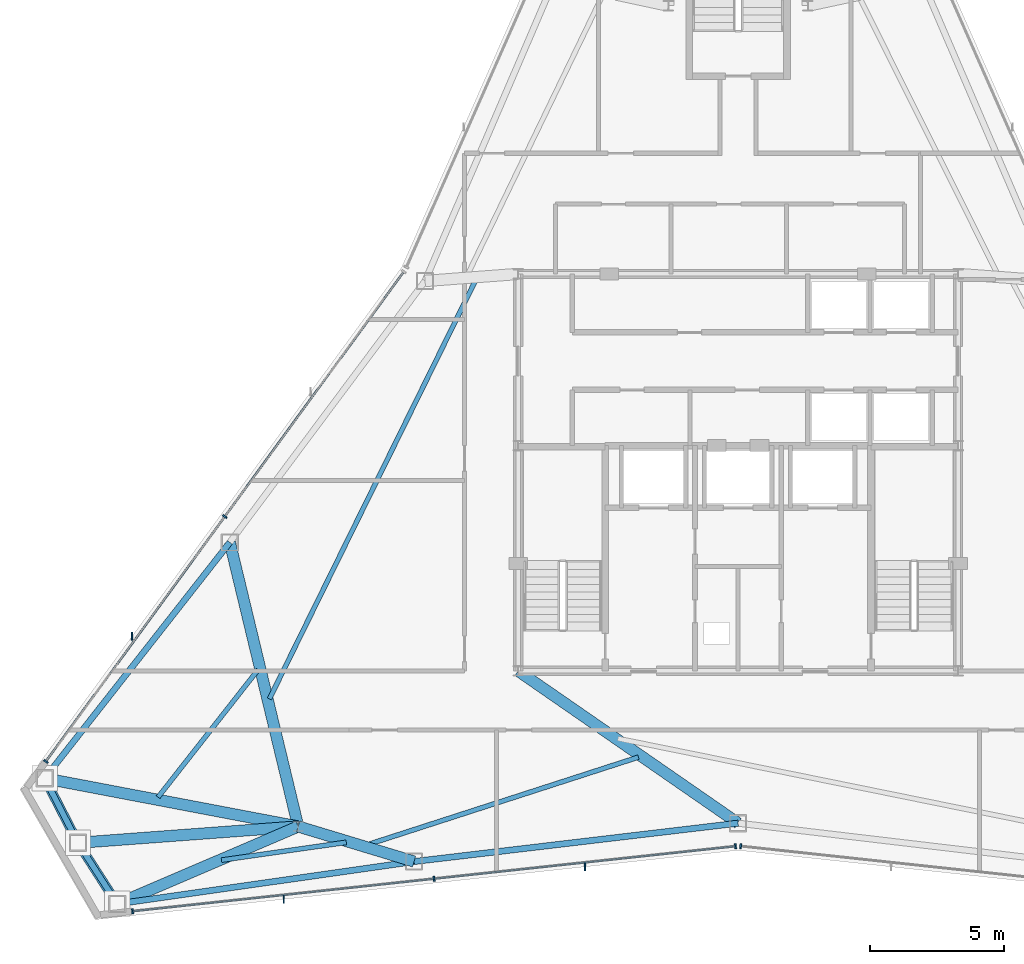
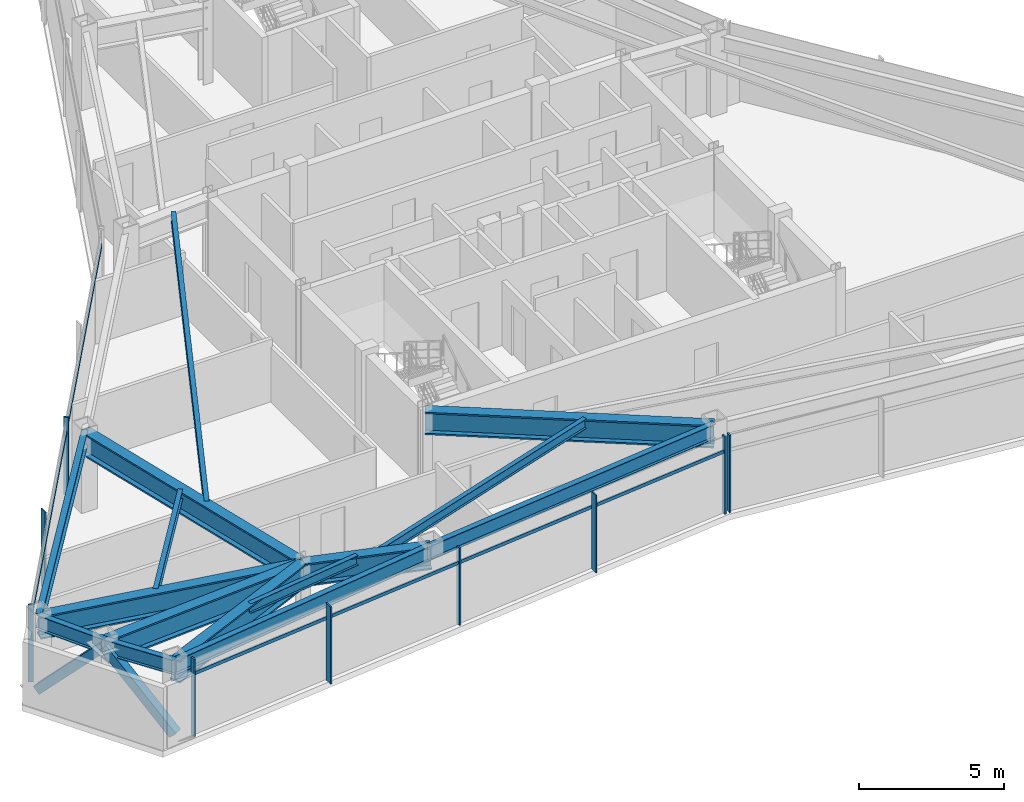
# One storey, part 3 of 12: 15 beams, 13 members, 3 elements without a shape of their own.
"""IFC4 building model written with IfcOpenShell, lengths in metres."""

import ifcopenshell
import ifcopenshell.guid

model = None  # the IFC model being written
_history = None  # IfcOwnerHistory: only IFC2X3 demands one
_inside = {}  # id of a spatial element -> (the spatial element, [elements in it])
_under = {}  # id of a project, library or spatial element -> (it, [spatial elements below it])
_declared = {}  # id of a project -> (the project, [libraries it declares])
_typed = {}  # id of a type object -> (the type object, [elements of that type])
_made_of = {}  # id of a material, layer set ... -> (it, [elements and type objects made of it])


def new_model(schema):
    """Start an empty IFC model of exactly this schema.

    Asked for "IFC4X3", IfcOpenShell would pick the latest addendum, in which some entities
    have other attributes; the version numbers below select the first issue.
    IFC2X3 requires an IfcOwnerHistory on every rooted entity: one is made here for all.
    """
    global model, _history
    if schema == "IFC4X3":
        model = ifcopenshell.file(schema_version=(4, 3, 0, 0))
    else:
        model = ifcopenshell.file(schema=schema)
    _inside.clear()
    _under.clear()
    _declared.clear()
    _typed.clear()
    _made_of.clear()
    _history = None
    if model.schema == "IFC2X3":
        org = make("IfcOrganization", Name="unknown")
        user = make(
            "IfcPersonAndOrganization",
            ThePerson=make("IfcPerson", FamilyName="unknown"),
            TheOrganization=org,
        )
        app = make(
            "IfcApplication",
            ApplicationDeveloper=org,
            Version="unknown",
            ApplicationFullName="unknown",
            ApplicationIdentifier="unknown",
        )
        _history = make(
            "IfcOwnerHistory",
            OwningUser=user,
            OwningApplication=app,
            ChangeAction="ADDED",
            CreationDate=0,
        )
    return model


def make(cls, **values):
    """One entity of the class cls with the attributes given. An attribute that is None is left unset."""
    return model.create_entity(
        cls, **{name: value for name, value in values.items() if value is not None}
    )


def rooted(cls, **values):
    """An entity with a GlobalId (a new one), such as an element, a storey or a relation."""
    return make(cls, GlobalId=ifcopenshell.guid.new(), OwnerHistory=_history, **values)


def si_unit(unit_type, name, prefix=None):
    """IfcSIUnit, for example si_unit("LENGTHUNIT", "METRE", prefix="MILLI")."""
    return make("IfcSIUnit", UnitType=unit_type, Prefix=prefix, Name=name)


def assignment(units):
    """IfcUnitAssignment: the units of a project."""
    return None if units is None else make("IfcUnitAssignment", Units=units)


def point(xyz):
    """IfcCartesianPoint."""
    return None if xyz is None else make("IfcCartesianPoint", Coordinates=xyz)


def direction(xyz):
    """IfcDirection."""
    return None if xyz is None else make("IfcDirection", DirectionRatios=xyz)


def frame(location, z_axis=None, x_axis=None):
    """IfcAxis2Placement3D, a coordinate frame: its origin and axes. An axis left out is left unset."""
    return make(
        "IfcAxis2Placement3D",
        Location=point(location),
        Axis=direction(z_axis),
        RefDirection=direction(x_axis),
    )


def frame_2d(location, x_axis=None):
    """IfcAxis2Placement2D, a coordinate frame in the plane: its origin and x axis."""
    return make(
        "IfcAxis2Placement2D", Location=point(location), RefDirection=direction(x_axis)
    )


def origin():
    """The frame at (0, 0, 0) with its axes left unset."""
    return frame((0.0, 0.0, 0.0))


def origin_2d():
    """The frame at (0, 0) in the plane with its x axis left unset."""
    return frame_2d((0.0, 0.0))


def place(relative_to, where):
    """IfcLocalPlacement: puts the frame where relative to a parent placement (None: the world)."""
    return make(
        "IfcLocalPlacement", PlacementRelTo=relative_to, RelativePlacement=where
    )


def context(
    kind, dimensions, precision=None, world=None, true_north=None, identifier=None
):
    """IfcGeometricRepresentationContext, for example the 3D "Model" context."""
    return make(
        "IfcGeometricRepresentationContext",
        ContextIdentifier=identifier,
        ContextType=kind,
        CoordinateSpaceDimension=dimensions,
        Precision=precision,
        WorldCoordinateSystem=world,
        TrueNorth=true_north,
    )


def subcontext(parent, identifier, kind, view, scale=None):
    """IfcGeometricRepresentationSubContext, for example "Body" below "Model"."""
    return make(
        "IfcGeometricRepresentationSubContext",
        ContextIdentifier=identifier,
        ContextType=kind,
        ParentContext=parent,
        TargetScale=scale,
        TargetView=view,
    )


def project(units=None, contexts=None):
    """IfcProject with its units and contexts."""
    return rooted(
        "IfcProject",
        Name="project",
        RepresentationContexts=contexts,
        UnitsInContext=assignment(units),
    )


def spatial(cls, under=None, at=None, **own):
    """A site, building, storey or space (cls), placed at a placement, below another one or the project."""
    s = rooted(cls, ObjectPlacement=at, **own)
    if under is not None:
        _under.setdefault(under.id(), (under, []))[1].append(s)
    return s


def profile(cls, at=None, kind="AREA", **sizes):
    """A parametric profile (cls). Its sizes go by their IFC names, for example OverallWidth=200.0."""
    return make(cls, ProfileType=kind, Position=at, **sizes)


def rectangle(**sizes):
    """IfcRectangleProfileDef."""
    return profile("IfcRectangleProfileDef", **sizes)


def hollow_rectangle(**sizes):
    """IfcRectangleHollowProfileDef."""
    return profile("IfcRectangleHollowProfileDef", **sizes)


def i_section(**sizes):
    """IfcIShapeProfileDef."""
    return profile("IfcIShapeProfileDef", **sizes)


def extrude(swept, where, along, depth):
    """IfcExtrudedAreaSolid: the profile swept, set in the frame where, extruded along a direction by depth."""
    return make(
        "IfcExtrudedAreaSolid",
        SweptArea=swept,
        Position=where,
        ExtrudedDirection=direction(along),
        Depth=depth,
    )


def shape(context_of_items, identifier, shape_type, items):
    """IfcShapeRepresentation: the items that make up one representation, for example the "Body"."""
    return make(
        "IfcShapeRepresentation",
        ContextOfItems=context_of_items,
        RepresentationIdentifier=identifier,
        RepresentationType=shape_type,
        Items=items,
    )


def source(mapping_origin, context_of_items, identifier, shape_type, items):
    """IfcRepresentationMap: a shape defined once, which mapped items show again and again."""
    return make(
        "IfcRepresentationMap",
        MappingOrigin=mapping_origin,
        MappedRepresentation=shape(context_of_items, identifier, shape_type, items),
    )


def transform(
    local_origin,
    x_axis=None,
    y_axis=None,
    z_axis=None,
    scale=None,
    scale2=None,
    scale3=None,
    uniform=True,
):
    """IfcCartesianTransformationOperator3D, or its non-uniform kind. x_axis, y_axis, z_axis: its Axis1, 2, 3."""
    if uniform:
        return make(
            "IfcCartesianTransformationOperator3D",
            Axis1=direction(x_axis),
            Axis2=direction(y_axis),
            LocalOrigin=point(local_origin),
            Scale=scale,
            Axis3=direction(z_axis),
        )
    return make(
        "IfcCartesianTransformationOperator3DnonUniform",
        Axis1=direction(x_axis),
        Axis2=direction(y_axis),
        LocalOrigin=point(local_origin),
        Scale=scale,
        Axis3=direction(z_axis),
        Scale2=scale2,
        Scale3=scale3,
    )


def mapped(mapping_source, mapping_target):
    """IfcMappedItem: shows the shape of a source again, moved by a transform."""
    return make(
        "IfcMappedItem", MappingSource=mapping_source, MappingTarget=mapping_target
    )


def material(Name=None, Category=None):
    """IfcMaterial."""
    return make("IfcMaterial", Name=Name, Category=Category)


def layer(
    of_material, thickness, ventilated=None, Name=None, Category=None, Priority=None
):
    """IfcMaterialLayer: one layer of a wall or slab, of a material (None: an air gap)."""
    return make(
        "IfcMaterialLayer",
        Material=of_material,
        LayerThickness=thickness,
        IsVentilated=ventilated,
        Name=Name,
        Category=Category,
        Priority=Priority,
    )


def layer_set(layers, Name=None):
    """IfcMaterialLayerSet."""
    return make("IfcMaterialLayerSet", MaterialLayers=layers, LayerSetName=Name)


def material_profile(
    of_material, cross_section, Name=None, Category=None, Priority=None
):
    """IfcMaterialProfile: a cross section and its material."""
    return make(
        "IfcMaterialProfile",
        Name=Name,
        Material=of_material,
        Profile=cross_section,
        Priority=Priority,
        Category=Category,
    )


def profile_set(profiles, Name=None, composite=None):
    """IfcMaterialProfileSet."""
    return make(
        "IfcMaterialProfileSet",
        Name=Name,
        MaterialProfiles=profiles,
        CompositeProfile=composite,
    )


def made_of(thing, what):
    """Note that an element or type object is made of a material, layer set ...; save() writes the relation."""
    if what is not None:
        _made_of.setdefault(what.id(), (what, []))[1].append(thing)
    return thing


def type_object(cls, material=None, **own):
    """A type object (cls), such as IfcWallType, which elements share."""
    return made_of(rooted(cls, **own), material)


def type_shapes(of_type, sources):
    """Give a type object the sources (RepresentationMaps) that its elements show as mapped items."""
    of_type.RepresentationMaps = sources


def element(
    cls,
    number,
    at=None,
    inside=None,
    cuts=None,
    type_object=None,
    material=None,
    context=None,
    identifier="Body",
    shape_type=None,
    held_by="IfcProductDefinitionShape",
    body=None,
    shapes=None,
    **own,
):
    """One element of the class cls, such as IfcWall. Its Tag is "e" and its number.

    at: its placement. inside: the storey or other place that contains it. cuts: it is an
    opening in that element (IfcRelVoidsElement). A single representation is given by context,
    identifier, shape_type and body (its items); several are given by shapes. held_by: the class
    of the entity that holds the representations. save() writes the other relations.
    """
    e = rooted(cls, Tag="e%d" % number, ObjectPlacement=at, **own)
    if body is not None:
        shapes = [shape(context, identifier, shape_type, body)]
    if shapes is not None:
        e.Representation = make(held_by, Representations=shapes)
    if inside is not None:
        _inside.setdefault(inside.id(), (inside, []))[1].append(e)
    if cuts is not None:
        rooted(
            "IfcRelVoidsElement", RelatingBuildingElement=cuts, RelatedOpeningElement=e
        )
    if type_object is not None:
        _typed.setdefault(type_object.id(), (type_object, []))[1].append(e)
    return made_of(e, material)


def aggregate(whole, parts):
    """IfcRelAggregates: a whole, such as a stair, and the parts it consists of."""
    return rooted("IfcRelAggregates", RelatingObject=whole, RelatedObjects=parts)


def save(model, path):
    """Write the relations noted so far, then the file.

    IfcRelAggregates (storeys below a building ...), IfcRelContainedInSpatialStructure (elements
    in a storey), IfcRelDefinesByType, IfcRelAssociatesMaterial and IfcRelDeclares: one each for
    every whole, place, type object, material and project.
    """
    for whole, parts in _under.values():
        aggregate(whole, parts)
    for where, things in _inside.values():
        rooted(
            "IfcRelContainedInSpatialStructure",
            RelatedElements=things,
            RelatingStructure=where,
        )
    for kind, things in _typed.values():
        rooted("IfcRelDefinesByType", RelatedObjects=things, RelatingType=kind)
    for what, things in _made_of.values():
        rooted("IfcRelAssociatesMaterial", RelatedObjects=things, RelatingMaterial=what)
    for by, libraries in _declared.values():
        rooted("IfcRelDeclares", RelatingContext=by, RelatedDefinitions=libraries)
    model.write(path)


model = new_model("IFC4")

# Units and contexts
model_context = context("Model", 3, precision=1e-05, world=origin(), true_north=direction((0.0, 1.0)))
body_context = subcontext(model_context, "Body", "Model", "MODEL_VIEW")
ifc_project = project(units=[si_unit("LENGTHUNIT", "METRE"), si_unit("AREAUNIT", "SQUARE_METRE"), si_unit("VOLUMEUNIT", "CUBIC_METRE"), si_unit("PLANEANGLEUNIT", "RADIAN"), si_unit("MASSUNIT", "GRAM", prefix="KILO")], contexts=[model_context])

# Site, building, storey
site_placement = place(None, origin())
site = spatial("IfcSite", under=ifc_project, at=site_placement, CompositionType="ELEMENT")
building_placement = place(site_placement, origin())
building = spatial("IfcBuilding", under=site, at=building_placement, Name="Varakhsha Concourse Tower", CompositionType="ELEMENT")
storey_placement = place(building_placement, frame((0.0, 0.0, 269.0)))
storey = spatial("IfcBuildingStorey", under=building, at=storey_placement, Name="L76", CompositionType="ELEMENT", Elevation=269.0)

# Beams
ifc_material_1 = material(Name="Structural Steel ASTM A992 Grade 50", Category="steel")
ifc_material_profile_1 = material_profile(ifc_material_1, i_section(OverallWidth=0.177978515625, OverallDepth=0.406982421875, WebThickness=0.008056640625, FlangeThickness=0.012939453125, at=origin_2d()), Name="W16X40")
ifc_profile_set_1 = profile_set([ifc_material_profile_1], Name="Structural Steel ASTM A992 Grade 50")
beam_type_1 = type_object("IfcBeamType", Name="BM-JST-W16X40", PredefinedType="JOIST", material=ifc_profile_set_1)
beam_1_placement = place(storey_placement, frame((30.22412109375, 30.986083984375, 3.04638671875), z_axis=(-0.441851842642, -0.897088038686, 0.0), x_axis=(0.897088038686, -0.441851842642, 0.0)))
element("IfcBeam", 1, at=beam_1_placement, inside=storey, type_object=beam_type_1, Name="BM-TJST-L76-05", PredefinedType="JOIST", context=body_context, shape_type="SweptSolid", body=[
    extrude(i_section(OverallWidth=0.177978515625, OverallDepth=0.406982421875, WebThickness=0.008056640625, FlangeThickness=0.012939453125, at=origin_2d()), origin(), (0.0, 0.0, 1.0), 17.419921875),
])
beam_2_placement = place(storey_placement, frame((22.1044921875, 16.444580078125, 3.04638671875), z_axis=(-0.617368066023, -0.786674437779, 0.0), x_axis=(0.786674437779, -0.617368066023, 0.0)))
element("IfcBeam", 2, at=beam_2_placement, inside=storey, type_object=beam_type_1, Name="BM-TJST-L76-06", PredefinedType="JOIST", context=body_context, shape_type="SweptSolid", body=[
    extrude(i_section(OverallWidth=0.177978515625, OverallDepth=0.406982421875, WebThickness=0.008056640625, FlangeThickness=0.012939453125, at=origin_2d()), origin(), (0.0, 0.0, 1.0), 6.04052734375),
])
beam_3_placement = place(storey_placement, frame((20.739990234375, 9.345703125, 3.04638671875), z_axis=(0.989964036021, 0.141319522304, 0.0), x_axis=(-0.141319522304, 0.989964036021, 0.0)))
element("IfcBeam", 3, at=beam_3_placement, inside=storey, type_object=beam_type_1, Name="BM-TJST-L76-09", PredefinedType="JOIST", context=body_context, shape_type="SweptSolid", body=[
    extrude(i_section(OverallWidth=0.177978515625, OverallDepth=0.406982421875, WebThickness=0.008056640625, FlangeThickness=0.012939453125, at=origin_2d()), origin(), (0.0, 0.0, 1.0), 4.698974609375),
])
beam_4_placement = place(storey_placement, frame((26.123779296875, 9.902587890625, 3.04638671875), z_axis=(0.951535046043, 0.307540332561, 0.0), x_axis=(-0.307540332561, 0.951535046043, 0.0)))
element("IfcBeam", 4, at=beam_4_placement, inside=storey, type_object=beam_type_1, Name="BM-TJST-L76-10", PredefinedType="JOIST", context=body_context, shape_type="SweptSolid", body=[
    extrude(i_section(OverallWidth=0.177978515625, OverallDepth=0.406982421875, WebThickness=0.008056640625, FlangeThickness=0.012939453125, at=origin_2d()), origin(), (0.0, 0.0, 1.0), 10.68115234375),
])
ifc_material_profile_2 = material_profile(ifc_material_1, i_section(OverallWidth=0.423095703125, OverallDepth=0.947998046875, WebThickness=0.0380859375, FlangeThickness=0.06396484375, at=origin_2d()), Name="W36X302")
ifc_profile_set_2 = profile_set([ifc_material_profile_2], Name="Structural Steel ASTM A992 Grade 50")
beam_type_2 = type_object("IfcBeamType", Name="BM-OUTR-W36X302", PredefinedType="USERDEFINED", material=ifc_profile_set_2)
beam_5_placement = place(storey_placement, frame((23.60009765625, 10.60009765625, 2.77587890625), z_axis=(-0.234020493668, 0.97223166403, 0.0), x_axis=(-0.97223166403, -0.234020493668, 0.0)))
element("IfcBeam", 5, at=beam_5_placement, inside=storey, type_object=beam_type_2, Name="L76 Radial Floor Girder 06", ObjectType="GIRDER", PredefinedType="USERDEFINED", context=body_context, shape_type="SweptSolid", body=[
    extrude(i_section(OverallWidth=0.423095703125, OverallDepth=0.947998046875, WebThickness=0.0380859375, FlangeThickness=0.06396484375, at=origin_2d()), origin(), (0.0, 0.0, 1.0), 10.8935546875),
])
beam_6_placement = place(storey_placement, frame((23.60009765625, 10.60009765625, 2.77587890625), z_axis=(-0.982408020767, 0.186747103681, 0.0), x_axis=(-0.186747103681, -0.982408020767, 0.0)))
element("IfcBeam", 6, at=beam_6_placement, inside=storey, type_object=beam_type_2, Name="L76 Radial Floor Girder 07", ObjectType="GIRDER", PredefinedType="USERDEFINED", context=body_context, shape_type="SweptSolid", body=[
    extrude(i_section(OverallWidth=0.423095703125, OverallDepth=0.947998046875, WebThickness=0.0380859375, FlangeThickness=0.06396484375, at=origin_2d()), origin(), (0.0, 0.0, 1.0), 9.62060546875),
])
beam_7_placement = place(storey_placement, frame((23.60009765625, 10.60009765625, 2.77587890625), z_axis=(-0.997263302263, -0.073931765569, 0.0), x_axis=(0.073931765569, -0.997263302263, 0.0)))
element("IfcBeam", 7, at=beam_7_placement, inside=storey, type_object=beam_type_2, Name="L76 Radial Floor Girder 08", ObjectType="GIRDER", PredefinedType="USERDEFINED", context=body_context, shape_type="SweptSolid", body=[
    extrude(i_section(OverallWidth=0.423095703125, OverallDepth=0.947998046875, WebThickness=0.0380859375, FlangeThickness=0.06396484375, at=origin_2d()), origin(), (0.0, 0.0, 1.0), 8.232421875),
])
beam_8_placement = place(storey_placement, frame((23.60009765625, 10.60009765625, 2.77587890625), z_axis=(-0.91941323133, -0.393292906184, 0.0), x_axis=(0.393292906184, -0.91941323133, 0.0)))
element("IfcBeam", 8, at=beam_8_placement, inside=storey, type_object=beam_type_2, Name="L76 Radial Floor Girder 09", ObjectType="GIRDER", PredefinedType="USERDEFINED", context=body_context, shape_type="SweptSolid", body=[
    extrude(i_section(OverallWidth=0.423095703125, OverallDepth=0.947998046875, WebThickness=0.0380859375, FlangeThickness=0.06396484375, at=origin_2d()), origin(), (0.0, 0.0, 1.0), 7.33935546875),
])
beam_9_placement = place(storey_placement, frame((23.60009765625, 10.60009765625, 2.77587890625), z_axis=(0.957197136996, -0.289436764988, 0.0), x_axis=(0.289436764988, 0.957197136996, 0.0)))
element("IfcBeam", 9, at=beam_9_placement, inside=storey, type_object=beam_type_2, Name="L76 Radial Floor Girder 10", ObjectType="GIRDER", PredefinedType="USERDEFINED", context=body_context, shape_type="SweptSolid", body=[
    extrude(i_section(OverallWidth=0.423095703125, OverallDepth=0.947998046875, WebThickness=0.0380859375, FlangeThickness=0.06396484375, at=origin_2d()), origin(), (0.0, 0.0, 1.0), 4.5126953125),
])
beam_10_placement = place(storey_placement, frame((31.800048828125, 16.39990234375, 2.77587890625), z_axis=(0.822221273218, -0.569167969819, 0.0), x_axis=(0.569167969819, 0.822221273218, 0.0)))
element("IfcBeam", 10, at=beam_10_placement, inside=storey, type_object=beam_type_2, Name="L76 Radial Floor Girder 11", ObjectType="GIRDER", PredefinedType="USERDEFINED", context=body_context, shape_type="SweptSolid", body=[
    extrude(i_section(OverallWidth=0.423095703125, OverallDepth=0.947998046875, WebThickness=0.0380859375, FlangeThickness=0.06396484375, at=origin_2d()), origin(), (0.0, 0.0, 1.0), 9.972900390625),
])
ifc_material_profile_3 = material_profile(ifc_material_1, i_section(OverallWidth=0.22900390625, OverallDepth=0.612060546875, WebThickness=0.011962890625, FlangeThickness=0.02001953125, at=origin_2d()), Name="W24X84")
ifc_profile_set_3 = profile_set([ifc_material_profile_3], Name="Structural Steel ASTM A992 Grade 50")
beam_type_3 = type_object("IfcBeamType", Name="BM-SPAN-W24X84", PredefinedType="SPANDREL", material=ifc_profile_set_3)
beam_11_placement = place(storey_placement, frame((21.05078125, 21.191162109375, 2.944091796875), z_axis=(-0.617389378054, -0.786657712011, 0.0), x_axis=(0.786657712011, -0.617389378054, 0.0)))
element("IfcBeam", 11, at=beam_11_placement, inside=storey, type_object=beam_type_3, Name="BM-SPAN-L76-06", PredefinedType="SPANDREL", context=body_context, shape_type="SweptSolid", body=[
    extrude(i_section(OverallWidth=0.22900390625, OverallDepth=0.612060546875, WebThickness=0.011962890625, FlangeThickness=0.02001953125, at=origin_2d()), origin(), (0.0, 0.0, 1.0), 11.179443359375),
])
for number, where, z_axis, x_axis, name in (
    (12, (14.148681640625, 12.396728515625, 2.944091796875), (0.458649812349, -0.888617099561, 0.0), (0.888617099561, 0.458649812349, 0.0), "BM-SPAN-L76-07"),
    (13, (15.39013671875, 9.991455078125, 2.944091796875), (0.540192188796, -0.841541679992, 0.0), (0.841541679992, 0.540192188796, 0.0), "BM-SPAN-L76-08"),
):
    element("IfcBeam", number, at=place(storey_placement, frame(where, z_axis=z_axis, x_axis=x_axis)), inside=storey, type_object=beam_type_3, Name=name, PredefinedType="SPANDREL", context=body_context, shape_type="SweptSolid", body=[
        extrude(i_section(OverallWidth=0.22900390625, OverallDepth=0.612060546875, WebThickness=0.011962890625, FlangeThickness=0.02001953125, at=origin_2d()), origin(), (0.0, 0.0, 1.0), 2.706787109375),
    ])
beam_12_placement = place(storey_placement, frame((16.852294921875, 7.713623046875, 2.944091796875), z_axis=(0.989958663525, 0.141357152321, 0.0), x_axis=(-0.141357152321, 0.989958663525, 0.0)))
element("IfcBeam", 14, at=beam_12_placement, inside=storey, type_object=beam_type_3, Name="BM-SPAN-L76-09", PredefinedType="SPANDREL", context=body_context, shape_type="SweptSolid", body=[
    extrude(i_section(OverallWidth=0.22900390625, OverallDepth=0.612060546875, WebThickness=0.011962890625, FlangeThickness=0.02001953125, at=origin_2d()), origin(), (0.0, 0.0, 1.0), 11.1796875),
])
beam_13_placement = place(storey_placement, frame((27.919677734375, 9.2939453125, 2.944091796875), z_axis=(0.993069539855, 0.117528247719, 0.0), x_axis=(-0.117528247719, 0.993069539855, 0.0)))
element("IfcBeam", 15, at=beam_13_placement, inside=storey, type_object=beam_type_3, Name="BM-SPAN-L76-10", PredefinedType="SPANDREL", context=body_context, shape_type="SweptSolid", body=[
    extrude(i_section(OverallWidth=0.22900390625, OverallDepth=0.612060546875, WebThickness=0.011962890625, FlangeThickness=0.02001953125, at=origin_2d()), origin(), (0.0, 0.0, 1.0), 12.16455078125),
])

# Members
ifc_material_2 = material(Name="Structural Steel ASTM A500 Grade C", Category="steel")
ifc_material_profile_4 = material_profile(ifc_material_2, hollow_rectangle(XDim=0.35009765625, YDim=0.35009765625, WallThickness=0.01611328125, at=origin_2d()), Name="HSS 350x350x16")
ifc_profile_set_4 = profile_set([ifc_material_profile_4], Name="Structural Steel ASTM A500 Grade C")
member_type_1 = type_object("IfcMemberType", Name="MB-TUBE-HSS350", PredefinedType="BRACE", material=ifc_profile_set_4)
shared_shape_1 = source(origin(), body_context, "Body", "SweptSolid", [
    extrude(hollow_rectangle(XDim=0.35009765625, YDim=0.35009765625, WallThickness=0.01611328125, at=origin_2d()), origin(), (0.0, 0.0, 1.0), 3.916015625),
])
type_shapes(member_type_1, [shared_shape_1])
for number, where, z_axis, x_axis, name in (
    (16, (14.148681640625, 12.396728515625, 0.1201171875), (0.317026844456, -0.614227821352, 0.722646637971), (0.888617099561, 0.458649812349, 0.0), "L76 Wind-Corner Tube Brace B03"),
    (17, (16.852294921875, 7.713623046875, 0.1201171875), (-0.373388702082, 0.581685855806, 0.722649598569), (-0.841541679992, -0.540192188796, 0.0), "L76 Wind-Corner Tube Brace B04"),
):
    element("IfcMember", number, at=place(storey_placement, frame(where, z_axis=z_axis, x_axis=x_axis)), inside=storey, type_object=member_type_1, Name=name, PredefinedType="BRACE", context=body_context, shape_type="MappedRepresentation", body=[
        mapped(shared_shape_1, transform((0.0, 0.0, 0.0), scale=1.0)),
    ])

# Curtain wall, members
ifc_material_3 = material(Name="Anodised Bronze Architectural Aluminium AA 6063-T6", Category="aluminium")
ifc_layer = layer(ifc_material_3, 0.199951171875, Name="CW-SYS-05")
ifc_layer_set = layer_set([ifc_layer], Name="Anodised Bronze Architectural Aluminium AA 6063-T6")
curtain_wall_type = type_object("IfcCurtainWallType", Name="CW-SYS-05", PredefinedType="NOTDEFINED", material=ifc_layer_set)
curtain_wall_1_placement = place(storey_placement, origin())
curtain_wall_1 = element("IfcCurtainWall", 18, at=curtain_wall_1_placement, inside=storey, type_object=curtain_wall_type, Name="L76 Crystal Curtain Wall F3", PredefinedType="NOTDEFINED")
ifc_material_profile_5 = material_profile(ifc_material_3, rectangle(XDim=0.06494140625, YDim=0.179931640625, at=origin_2d()), Name="CWM-180X65")
ifc_profile_set_5 = profile_set([ifc_material_profile_5], Name="Anodised Bronze Architectural Aluminium AA 6063-T6")
member_type_2 = type_object("IfcMemberType", Name="CWM-180X65", PredefinedType="MULLION", material=ifc_profile_set_5)
shared_shape_2 = source(origin(), body_context, "Body", "SweptSolid", [
    extrude(rectangle(XDim=0.06494140625, YDim=0.179931640625, at=origin_2d()), origin(), (0.0, 0.0, 1.0), 3.25),
])
type_shapes(member_type_2, [shared_shape_2])
member_1_placement = place(storey_placement, frame((14.195068359375, 13.028564453125, 0.0), z_axis=(0.0, 0.0, 1.0), x_axis=(0.589960426558, 0.807432161296, 0.0)))
member_1 = element("IfcMember", 19, at=member_1_placement, type_object=member_type_2, Name="CW-L76-F3 Mullion 00", PredefinedType="MULLION", context=body_context, shape_type="MappedRepresentation", body=[
    mapped(shared_shape_2, transform((0.0, 0.0, 0.0), scale=1.0)),
])
member_2_placement = place(storey_placement, frame((20.86474609375, 22.15673828125, 0.0), z_axis=(0.0, 0.0, 1.0), x_axis=(0.589960426558, 0.807432161296, 0.0)))
member_2 = element("IfcMember", 20, at=member_2_placement, type_object=member_type_2, Name="CW-L76-F3 Mullion 01", PredefinedType="MULLION", context=body_context, shape_type="MappedRepresentation", body=[
    mapped(shared_shape_2, transform((0.0, 0.0, 0.0), scale=1.0)),
])

curtain_wall_2_placement = place(storey_placement, origin())
curtain_wall_2 = element("IfcCurtainWall", 21, at=curtain_wall_2_placement, inside=storey, type_object=curtain_wall_type, Name="L76 Crystal Curtain Wall F5", PredefinedType="NOTDEFINED")
member_3_placement = place(storey_placement, frame((39.9033203125, 9.862060546875, 0.0), z_axis=(0.0, 0.0, 1.0), x_axis=(-0.994236415458, -0.10720984179, 0.0)))
member_3 = element("IfcMember", 22, at=member_3_placement, type_object=member_type_2, Name="CW-L76-F5 Mullion 00", PredefinedType="MULLION", context=body_context, shape_type="MappedRepresentation", body=[
    mapped(shared_shape_2, transform((0.0, 0.0, 0.0), scale=1.0)),
])
member_4_placement = place(storey_placement, frame((28.6630859375, 8.650146484375, 0.0), z_axis=(0.0, 0.0, 1.0), x_axis=(-0.994236415458, -0.10720984179, 0.0)))
member_4 = element("IfcMember", 23, at=member_4_placement, type_object=member_type_2, Name="CW-L76-F5 Mullion 01", PredefinedType="MULLION", context=body_context, shape_type="MappedRepresentation", body=[
    mapped(shared_shape_2, transform((0.0, 0.0, 0.0), scale=1.0)),
])
member_5_placement = place(storey_placement, frame((17.4228515625, 7.43798828125, 0.0), z_axis=(0.0, 0.0, 1.0), x_axis=(-0.994236415458, -0.10720984179, 0.0)))
member_5 = element("IfcMember", 24, at=member_5_placement, type_object=member_type_2, Name="CW-L76-F5 Mullion 02", PredefinedType="MULLION", context=body_context, shape_type="MappedRepresentation", body=[
    mapped(shared_shape_2, transform((0.0, 0.0, 0.0), scale=1.0)),
])

# Curtain wall, member
curtain_wall_3_placement = place(storey_placement, origin())
curtain_wall_3 = element("IfcCurtainWall", 25, at=curtain_wall_3_placement, inside=storey, type_object=curtain_wall_type, Name="L76 Crystal Curtain Wall F6", PredefinedType="NOTDEFINED")
member_6_placement = place(storey_placement, frame((40.0966796875, 9.862060546875, 0.0), z_axis=(0.0, 0.0, 1.0), x_axis=(-0.994236415458, 0.10720984179, 0.0)))
member_6 = element("IfcMember", 26, at=member_6_placement, type_object=member_type_2, Name="CW-L76-F6 Mullion 02", PredefinedType="MULLION", context=body_context, shape_type="MappedRepresentation", body=[
    mapped(shared_shape_2, transform((0.0, 0.0, 0.0), scale=1.0)),
])
aggregate(curtain_wall_3, [member_6])

# Member
ifc_material_profile_6 = material_profile(ifc_material_3, rectangle(XDim=0.054931640625, YDim=0.300048828125, at=origin_2d()), Name="FIN-BRZ-300")
ifc_profile_set_6 = profile_set([ifc_material_profile_6], Name="Anodised Bronze Architectural Aluminium AA 6063-T6")
member_type_3 = type_object("IfcMemberType", Name="FIN-BRZ-300", PredefinedType="USERDEFINED", material=ifc_profile_set_6)
shared_shape_3 = source(origin(), body_context, "Body", "SweptSolid", [
    extrude(rectangle(XDim=0.054931640625, YDim=0.300048828125, at=origin_2d()), origin(), (0.0, 0.0, 1.0), 3.25),
])
type_shapes(member_type_3, [shared_shape_3])
member_7_placement = place(storey_placement, frame((17.396728515625, 17.68994140625, 0.0), z_axis=(0.0, 0.0, 1.0), x_axis=(1.0, 0.0, 0.0)))
member_7 = element("IfcMember", 27, at=member_7_placement, type_object=member_type_3, Name="L76 Anodised Bronze Solar Fin F3-1", ObjectType="SOLAR FIN", PredefinedType="USERDEFINED", context=body_context, shape_type="MappedRepresentation", body=[
    mapped(shared_shape_3, transform((0.0, 0.0, 0.0), scale=1.0)),
])

member_8_placement = place(storey_placement, frame((34.30078125, 9.092041015625, 0.0), z_axis=(0.0, 0.0, 1.0), x_axis=(1.0, 0.0, 0.0)))
member_8 = element("IfcMember", 28, at=member_8_placement, type_object=member_type_3, Name="L76 Anodised Bronze Solar Fin F5-1", ObjectType="SOLAR FIN", PredefinedType="USERDEFINED", context=body_context, shape_type="MappedRepresentation", body=[
    mapped(shared_shape_3, transform((0.0, 0.0, 0.0), scale=1.0)),
])

member_9_placement = place(storey_placement, frame((23.060546875, 7.8798828125, 0.0), z_axis=(0.0, 0.0, 1.0), x_axis=(1.0, 0.0, 0.0)))
member_9 = element("IfcMember", 29, at=member_9_placement, type_object=member_type_3, Name="L76 Anodised Bronze Solar Fin F5-2", ObjectType="SOLAR FIN", PredefinedType="USERDEFINED", context=body_context, shape_type="MappedRepresentation", body=[
    mapped(shared_shape_3, transform((0.0, 0.0, 0.0), scale=1.0)),
])

ifc_material_profile_7 = material_profile(ifc_material_3, rectangle(XDim=0.06005859375, YDim=0.139892578125, at=origin_2d()), Name="CWT-140X60")
ifc_profile_set_7 = profile_set([ifc_material_profile_7], Name="Anodised Bronze Architectural Aluminium AA 6063-T6")
member_type_4 = type_object("IfcMemberType", Name="CWT-140X60", PredefinedType="USERDEFINED", material=ifc_profile_set_7)
shared_shape_4 = source(origin(), body_context, "Body", "SweptSolid", [
    extrude(rectangle(XDim=0.06005859375, YDim=0.139892578125, at=origin_2d()), origin(), (0.0, 0.0, 1.0), 22.61083984375),
])
type_shapes(member_type_4, [shared_shape_4])
member_10_placement = place(storey_placement, frame((14.195068359375, 13.028564453125, 2.60009765625), z_axis=(0.589965963721, 0.807428115469, 0.0), x_axis=(-0.807428115469, 0.589965963721, 0.0)))
member_10 = element("IfcMember", 30, at=member_10_placement, type_object=member_type_4, Name="CW-L76-F3 Transom 01", ObjectType="TRANSOM", PredefinedType="USERDEFINED", context=body_context, shape_type="MappedRepresentation", body=[
    mapped(shared_shape_4, transform((0.0, 0.0, 0.0), scale=1.0)),
])

aggregate(curtain_wall_1, [member_1, member_2, member_10, member_7])

member_11_placement = place(storey_placement, frame((39.9033203125, 9.862060546875, 2.60009765625), z_axis=(-0.994236541478, -0.107208673114, 0.0), x_axis=(0.107208673114, -0.994236541478, 0.0)))
member_11 = element("IfcMember", 31, at=member_11_placement, type_object=member_type_4, Name="CW-L76-F5 Transom 01", ObjectType="TRANSOM", PredefinedType="USERDEFINED", context=body_context, shape_type="MappedRepresentation", body=[
    mapped(shared_shape_4, transform((0.0, 0.0, 0.0), scale=1.0)),
])

aggregate(curtain_wall_2, [member_3, member_4, member_5, member_11, member_8, member_9])

save(model, "model.ifc")
